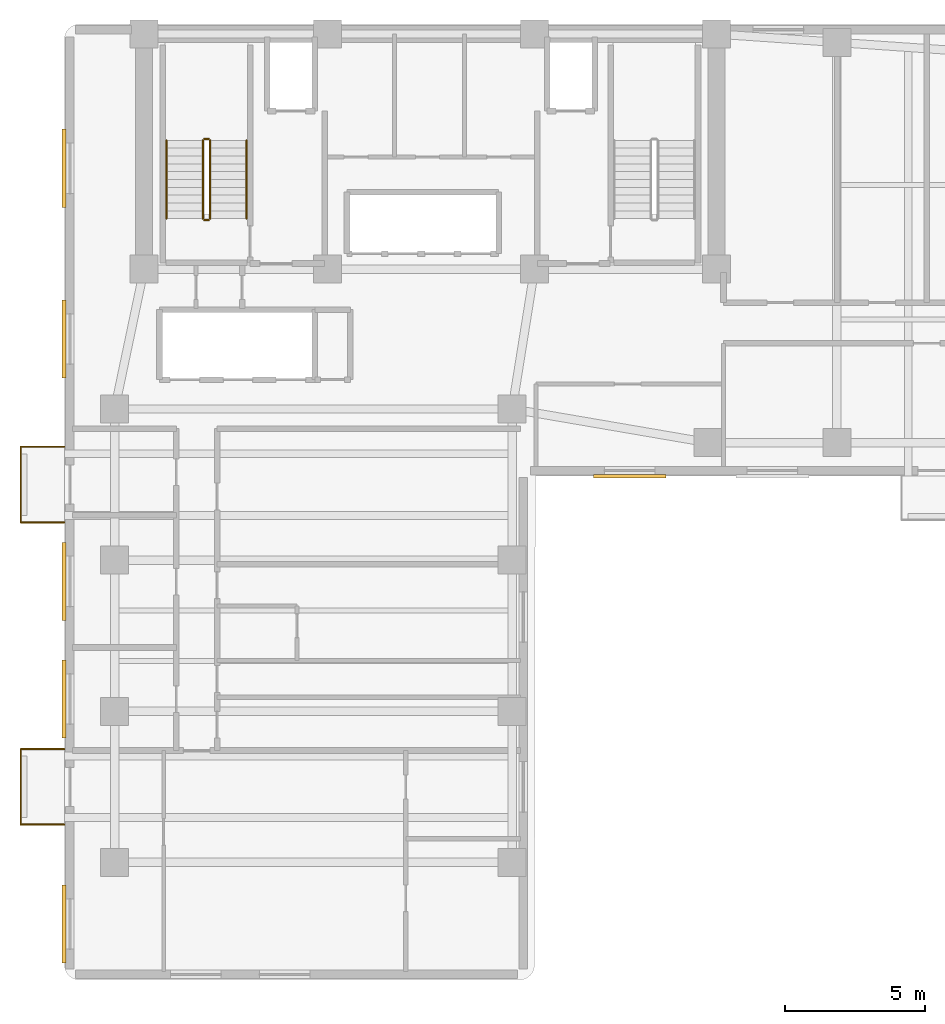
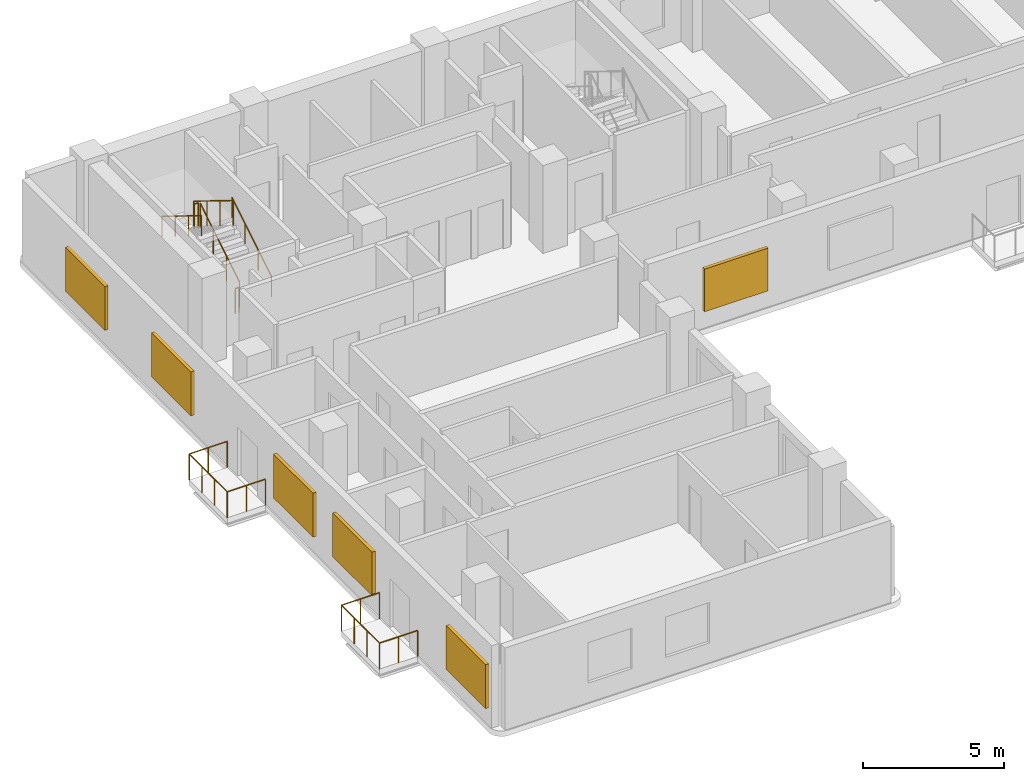
# One storey, part 6 of 7: 12 railings, 6 shading devices.
"""IFC4 building model written with IfcOpenShell, lengths in metres."""

from ifc_helpers import new_model, si_unit, direction, frame, origin, origin_2d, place, context, subcontext, project, spatial, rectangle, circle, extrude, material, layer, layer_set, type_object, element, save


model = new_model("IFC4")

# Units and contexts
model_context = context("Model", 3, precision=1e-05, world=origin(), true_north=direction((0.0, 1.0)))
body_context = subcontext(model_context, "Body", "Model", "MODEL_VIEW")
ifc_project = project(units=[si_unit("LENGTHUNIT", "METRE"), si_unit("AREAUNIT", "SQUARE_METRE"), si_unit("VOLUMEUNIT", "CUBIC_METRE"), si_unit("PLANEANGLEUNIT", "RADIAN"), si_unit("MASSUNIT", "GRAM", prefix="KILO")], contexts=[model_context])

# Site, building, storey
site_placement = place(None, origin())
site = spatial("IfcSite", under=ifc_project, at=site_placement, CompositionType="ELEMENT")
building_placement = place(site_placement, origin())
building = spatial("IfcBuilding", under=site, at=building_placement, Name="Kuzgunbayir Cultural Tower", CompositionType="ELEMENT")
storey_placement = place(building_placement, frame((0.0, 0.0, 152.199951171875)))
storey = spatial("IfcBuildingStorey", under=building, at=storey_placement, Name="L44", CompositionType="ELEMENT", Elevation=152.199951171875)

# Railings
ifc_material_1 = material(Name="Laminated Glass and Stainless Steel", Category="steel")
ifc_layer_1 = layer(ifc_material_1, 0.080078125)
ifc_layer_set_1 = layer_set([ifc_layer_1], Name="Laminated Glass and Stainless Steel")
railing_type_1 = type_object("IfcRailingType", Name="RLG-BAL-115", PredefinedType="BALUSTRADE", material=ifc_layer_set_1)
railing_1_placement = place(storey_placement, frame((3.60009765625, 13.949951171875, 0.0)))
element("IfcRailing", 1, at=railing_1_placement, inside=storey, type_object=railing_type_1, Name="L44 Balcony Guard BAL-L44-WA1 Segment 1", PredefinedType="BALUSTRADE", context=body_context, shape_type="SweptSolid", body=[
    extrude(circle(Radius=0.02392578125, at=origin_2d()), frame((0.0, 0.0, 1.1259765625), z_axis=(-1.0, 0.0, 0.0), x_axis=(0.0, -1.0, 0.0)), (0.0, 0.0, 1.0), 1.56005859375),
    extrude(circle(Radius=0.02099609375, at=origin_2d()), origin(), (0.0, 0.0, 1.0), 1.101806640625),
    extrude(circle(Radius=0.02099609375, at=origin_2d()), frame((-0.780029296875, 0.0, 0.0)), (0.0, 0.0, 1.0), 1.101806640625),
    extrude(circle(Radius=0.02099609375, at=origin_2d()), frame((-1.56005859375, 0.0, 0.0)), (0.0, 0.0, 1.0), 1.101806640625),
])
railing_2_placement = place(storey_placement, frame((2.0400390625, 13.949951171875, 0.0)))
element("IfcRailing", 2, at=railing_2_placement, inside=storey, type_object=railing_type_1, Name="L44 Balcony Guard BAL-L44-WA1 Segment 2", PredefinedType="BALUSTRADE", context=body_context, shape_type="SweptSolid", body=[
    extrude(circle(Radius=0.02392578125, at=origin_2d()), frame((0.0, 0.0, 1.1259765625), z_axis=(0.0, 1.0, 0.0), x_axis=(-1.0, 0.0, 0.0)), (0.0, 0.0, 1.0), 2.699951171875),
    extrude(circle(Radius=0.02099609375, at=origin_2d()), origin(), (0.0, 0.0, 1.0), 1.101806640625),
    extrude(circle(Radius=0.02099609375, at=origin_2d()), frame((0.0, 0.89990234375, 0.0)), (0.0, 0.0, 1.0), 1.101806640625),
    extrude(circle(Radius=0.02099609375, at=origin_2d()), frame((0.0, 1.800048828125, 0.0)), (0.0, 0.0, 1.0), 1.101806640625),
    extrude(circle(Radius=0.02099609375, at=origin_2d()), frame((0.0, 2.699951171875, 0.0)), (0.0, 0.0, 1.0), 1.101806640625),
])
railing_3_placement = place(storey_placement, frame((2.0400390625, 16.64990234375, 0.0)))
element("IfcRailing", 3, at=railing_3_placement, inside=storey, type_object=railing_type_1, Name="L44 Balcony Guard BAL-L44-WA1 Segment 3", PredefinedType="BALUSTRADE", context=body_context, shape_type="SweptSolid", body=[
    extrude(circle(Radius=0.02392578125, at=origin_2d()), frame((0.0, 0.0, 1.1259765625), z_axis=(1.0, 0.0, 0.0), x_axis=(0.0, 1.0, 0.0)), (0.0, 0.0, 1.0), 1.56005859375),
    extrude(circle(Radius=0.02099609375, at=origin_2d()), origin(), (0.0, 0.0, 1.0), 1.101806640625),
    extrude(circle(Radius=0.02099609375, at=origin_2d()), frame((0.780029296875, 0.0, 0.0)), (0.0, 0.0, 1.0), 1.101806640625),
    extrude(circle(Radius=0.02099609375, at=origin_2d()), frame((1.56005859375, 0.0, 0.0)), (0.0, 0.0, 1.0), 1.101806640625),
])
railing_4_placement = place(storey_placement, frame((3.60009765625, 24.75, 0.0)))
element("IfcRailing", 4, at=railing_4_placement, inside=storey, type_object=railing_type_1, Name="L44 Balcony Guard BAL-L44-WA3 Segment 1", PredefinedType="BALUSTRADE", context=body_context, shape_type="SweptSolid", body=[
    extrude(circle(Radius=0.02392578125, at=origin_2d()), frame((0.0, 0.0, 1.1259765625), z_axis=(-1.0, 0.0, 0.0), x_axis=(0.0, -1.0, 0.0)), (0.0, 0.0, 1.0), 1.56005859375),
    extrude(circle(Radius=0.02099609375, at=origin_2d()), origin(), (0.0, 0.0, 1.0), 1.101806640625),
    extrude(circle(Radius=0.02099609375, at=origin_2d()), frame((-0.780029296875, 0.0, 0.0)), (0.0, 0.0, 1.0), 1.101806640625),
    extrude(circle(Radius=0.02099609375, at=origin_2d()), frame((-1.56005859375, 0.0, 0.0)), (0.0, 0.0, 1.0), 1.101806640625),
])
railing_5_placement = place(storey_placement, frame((2.0400390625, 24.75, 0.0)))
element("IfcRailing", 5, at=railing_5_placement, inside=storey, type_object=railing_type_1, Name="L44 Balcony Guard BAL-L44-WA3 Segment 2", PredefinedType="BALUSTRADE", context=body_context, shape_type="SweptSolid", body=[
    extrude(circle(Radius=0.02392578125, at=origin_2d()), frame((0.0, 0.0, 1.1259765625), z_axis=(0.0, 1.0, 0.0), x_axis=(-1.0, 0.0, 0.0)), (0.0, 0.0, 1.0), 2.699951171875),
    extrude(circle(Radius=0.02099609375, at=origin_2d()), origin(), (0.0, 0.0, 1.0), 1.101806640625),
    extrude(circle(Radius=0.02099609375, at=origin_2d()), frame((0.0, 0.89990234375, 0.0)), (0.0, 0.0, 1.0), 1.101806640625),
    extrude(circle(Radius=0.02099609375, at=origin_2d()), frame((0.0, 1.800048828125, 0.0)), (0.0, 0.0, 1.0), 1.101806640625),
    extrude(circle(Radius=0.02099609375, at=origin_2d()), frame((0.0, 2.699951171875, 0.0)), (0.0, 0.0, 1.0), 1.101806640625),
])
railing_6_placement = place(storey_placement, frame((2.0400390625, 27.449951171875, 0.0)))
element("IfcRailing", 6, at=railing_6_placement, inside=storey, type_object=railing_type_1, Name="L44 Balcony Guard BAL-L44-WA3 Segment 3", PredefinedType="BALUSTRADE", context=body_context, shape_type="SweptSolid", body=[
    extrude(circle(Radius=0.02392578125, at=origin_2d()), frame((0.0, 0.0, 1.1259765625), z_axis=(1.0, 0.0, 0.0), x_axis=(0.0, 1.0, 0.0)), (0.0, 0.0, 1.0), 1.56005859375),
    extrude(circle(Radius=0.02099609375, at=origin_2d()), origin(), (0.0, 0.0, 1.0), 1.101806640625),
    extrude(circle(Radius=0.02099609375, at=origin_2d()), frame((0.780029296875, 0.0, 0.0)), (0.0, 0.0, 1.0), 1.101806640625),
    extrude(circle(Radius=0.02099609375, at=origin_2d()), frame((1.56005859375, 0.0, 0.0)), (0.0, 0.0, 1.0), 1.101806640625),
])
ifc_material_2 = material(Name="Brushed Stainless Steel", Category="steel")
ifc_layer_2 = layer(ifc_material_2, 0.050048828125)
ifc_layer_set_2 = layer_set([ifc_layer_2], Name="Brushed Stainless Steel")
railing_type_2 = type_object("IfcRailingType", Name="RLG-STAIR-HANDRAIL", PredefinedType="HANDRAIL", material=ifc_layer_set_2)
railing_7_placement = place(storey_placement, frame((10.110107421875, 35.60009765625, 0.1728515625)))
element("IfcRailing", 7, at=railing_7_placement, inside=storey, type_object=railing_type_2, Name="L44 ST-1 stair handrail 1", PredefinedType="HANDRAIL", context=body_context, shape_type="SweptSolid", body=[
    extrude(circle(Radius=0.02392578125, at=origin_2d()), frame((0.0, 0.0, 0.8759765625), z_axis=(0.0, 0.851069175582, 0.525053576669), x_axis=(-1.0, 0.0, 0.0)), (0.0, 0.0, 1.0), 3.289794921875),
    extrude(circle(Radius=0.02099609375, at=origin_2d()), origin(), (0.0, 0.0, 1.0), 0.851806640625),
    extrude(circle(Radius=0.02099609375, at=origin_2d()), frame((0.0, 0.933349609375, 0.57568359375)), (0.0, 0.0, 1.0), 0.851806640625),
    extrude(circle(Radius=0.02099609375, at=origin_2d()), frame((0.0, 1.866455078125, 1.151611328125)), (0.0, 0.0, 1.0), 0.851806640625),
    extrude(circle(Radius=0.02099609375, at=origin_2d()), frame((0.0, 2.7998046875, 1.727294921875)), (0.0, 0.0, 1.0), 0.851806640625),
])
railing_8_placement = place(storey_placement, frame((7.25, 38.39990234375, 2.07275390625)))
element("IfcRailing", 8, at=railing_8_placement, inside=storey, type_object=railing_type_2, Name="L44 ST-1 stair handrail 2", PredefinedType="HANDRAIL", context=body_context, shape_type="SweptSolid", body=[
    extrude(circle(Radius=0.02392578125, at=origin_2d()), frame((0.0, 0.0, 0.8759765625), z_axis=(0.0, -0.851069175582, 0.525053576669), x_axis=(1.0, 0.0, 0.0)), (0.0, 0.0, 1.0), 3.289794921875),
    extrude(circle(Radius=0.02099609375, at=origin_2d()), origin(), (0.0, 0.0, 1.0), 0.851806640625),
    extrude(circle(Radius=0.02099609375, at=origin_2d()), frame((0.0, -0.933349609375, 0.57568359375)), (0.0, 0.0, 1.0), 0.851806640625),
    extrude(circle(Radius=0.02099609375, at=origin_2d()), frame((0.0, -1.866455078125, 1.151611328125)), (0.0, 0.0, 1.0), 0.851806640625),
    extrude(circle(Radius=0.02099609375, at=origin_2d()), frame((0.0, -2.7998046875, 1.727294921875)), (0.0, 0.0, 1.0), 0.851806640625),
])
ifc_material_3 = material(Name="Painted Steel Balustrade", Category="steel")
ifc_layer_3 = layer(ifc_material_3, 0.06005859375)
ifc_layer_set_3 = layer_set([ifc_layer_3], Name="Painted Steel Balustrade")
railing_type_3 = type_object("IfcRailingType", Name="RLG-WELL-GUARD", PredefinedType="GUARDRAIL", material=ifc_layer_set_3)
railing_9_placement = place(storey_placement, frame((8.81005859375, 35.60009765625, 0.1728515625)))
element("IfcRailing", 9, at=railing_9_placement, inside=storey, type_object=railing_type_3, Name="L44 ST-1 stair guard 1", PredefinedType="GUARDRAIL", context=body_context, shape_type="SweptSolid", body=[
    extrude(circle(Radius=0.02392578125, at=origin_2d()), frame((0.0, 0.0, 1.076171875), z_axis=(0.0, 0.851069175582, 0.525053576669), x_axis=(-1.0, 0.0, 0.0)), (0.0, 0.0, 1.0), 3.289794921875),
    extrude(circle(Radius=0.02099609375, at=origin_2d()), origin(), (0.0, 0.0, 1.0), 1.052001953125),
    extrude(circle(Radius=0.02099609375, at=origin_2d()), frame((0.0, 0.933349609375, 0.57568359375)), (0.0, 0.0, 1.0), 1.052001953125),
    extrude(circle(Radius=0.02099609375, at=origin_2d()), frame((0.0, 1.866455078125, 1.151611328125)), (0.0, 0.0, 1.0), 1.052001953125),
    extrude(circle(Radius=0.02099609375, at=origin_2d()), frame((0.0, 2.7998046875, 1.727294921875)), (0.0, 0.0, 1.0), 1.052001953125),
])
railing_10_placement = place(storey_placement, frame((8.760009765625, 38.449951171875, 1.900146484375)))
element("IfcRailing", 10, at=railing_10_placement, inside=storey, type_object=railing_type_3, Name="L44 ST-1 stair guard 2", PredefinedType="GUARDRAIL", context=body_context, shape_type="SweptSolid", body=[
    extrude(circle(Radius=0.02392578125, at=origin_2d()), frame((0.0, 0.0, 1.076171875), z_axis=(-1.0, 0.0, 0.0), x_axis=(0.0, -1.0, 0.0)), (0.0, 0.0, 1.0), 0.159912109375),
    extrude(circle(Radius=0.02099609375, at=origin_2d()), origin(), (0.0, 0.0, 1.0), 1.052001953125),
    extrude(circle(Radius=0.02099609375, at=origin_2d()), frame((-0.159912109375, 0.0, 0.0)), (0.0, 0.0, 1.0), 1.052001953125),
])
railing_11_placement = place(storey_placement, frame((8.550048828125, 38.39990234375, 2.07275390625)))
element("IfcRailing", 11, at=railing_11_placement, inside=storey, type_object=railing_type_3, Name="L44 ST-1 stair guard 3", PredefinedType="GUARDRAIL", context=body_context, shape_type="SweptSolid", body=[
    extrude(circle(Radius=0.02392578125, at=origin_2d()), frame((0.0, 0.0, 1.076171875), z_axis=(0.0, -0.851069175582, 0.525053576669), x_axis=(1.0, 0.0, 0.0)), (0.0, 0.0, 1.0), 3.289794921875),
    extrude(circle(Radius=0.02099609375, at=origin_2d()), origin(), (0.0, 0.0, 1.0), 1.052001953125),
    extrude(circle(Radius=0.02099609375, at=origin_2d()), frame((0.0, -0.933349609375, 0.57568359375)), (0.0, 0.0, 1.0), 1.052001953125),
    extrude(circle(Radius=0.02099609375, at=origin_2d()), frame((0.0, -1.866455078125, 1.151611328125)), (0.0, 0.0, 1.0), 1.052001953125),
    extrude(circle(Radius=0.02099609375, at=origin_2d()), frame((0.0, -2.7998046875, 1.727294921875)), (0.0, 0.0, 1.0), 1.052001953125),
])
railing_12_placement = place(storey_placement, frame((8.760009765625, 35.550048828125, 0.0)))
element("IfcRailing", 12, at=railing_12_placement, inside=storey, type_object=railing_type_3, Name="L44 ST-1 stair guard 4", PredefinedType="GUARDRAIL", context=body_context, shape_type="SweptSolid", body=[
    extrude(circle(Radius=0.02392578125, at=origin_2d()), frame((0.0, 0.0, 1.076171875), z_axis=(-1.0, 0.0, 0.0), x_axis=(0.0, -1.0, 0.0)), (0.0, 0.0, 1.0), 0.159912109375),
    extrude(circle(Radius=0.02099609375, at=origin_2d()), origin(), (0.0, 0.0, 1.0), 1.052001953125),
    extrude(circle(Radius=0.02099609375, at=origin_2d()), frame((-0.159912109375, 0.0, 0.0)), (0.0, 0.0, 1.0), 1.052001953125),
])

# Shading devices
ifc_material_4 = material(Name="Perforated Bronze-Anodised Aluminium", Category="aluminium")
shading_device_type = type_object("IfcShadingDeviceType", Name="SHD-SOLAR-BRONZE", PredefinedType="JALOUSIE", material=ifc_material_4)
shading_device_placement = place(storey_placement, frame((23.800048828125, 26.39990234375, 0.794921875), z_axis=(0.0, 0.0, 1.0), x_axis=(1.0, 0.0, 0.0)))
element("IfcShadingDevice", 13, at=shading_device_placement, inside=storey, type_object=shading_device_type, Name="L44 Solar Screen WBS1", PredefinedType="JALOUSIE", context=body_context, shape_type="SweptSolid", body=[
    extrude(rectangle(XDim=2.60009765625, YDim=0.139892578125, at=origin_2d()), origin(), (0.0, 0.0, 1.0), 1.85009765625),
])
for number, where, z_axis, x_axis, name in (
    (14, (3.590087890625, 18.43994140625, 0.77001953125), (0.0, 0.0, 1.0), (1.0, 0.0, 0.0), "L44 Perforated Bronze Solar Screen WAW2"),
    (15, (3.590087890625, 22.639892578125, 0.77001953125), (0.0, 0.0, 1.0), (1.0, 0.0, 0.0), "L44 Perforated Bronze Solar Screen WAW3"),
    (16, (3.590087890625, 10.39990234375, 0.77001953125), (0.0, 0.0, 1.0), (1.0, 0.0, 0.0), "L44 Perforated Bronze Solar Screen WAW9"),
    (17, (3.590087890625, 31.300048828125, 0.77001953125), (0.0, 0.0, 1.0), (1.0, 0.0, 0.0), "L44 Perforated Bronze Solar Screen WAW10"),
    (18, (3.590087890625, 37.39990234375, 0.77001953125), (0.0, 0.0, 1.0), (1.0, 0.0, 0.0), "L44 Perforated Bronze Solar Screen WAW11"),
):
    element("IfcShadingDevice", number, at=place(storey_placement, frame(where, z_axis=z_axis, x_axis=x_axis)), inside=storey, type_object=shading_device_type, Name=name, PredefinedType="JALOUSIE", context=body_context, shape_type="SweptSolid", body=[
        extrude(rectangle(XDim=0.139892578125, YDim=2.800048828125, at=origin_2d()), origin(), (0.0, 0.0, 1.0), 1.89990234375),
    ])

save(model, "model.ifc")
